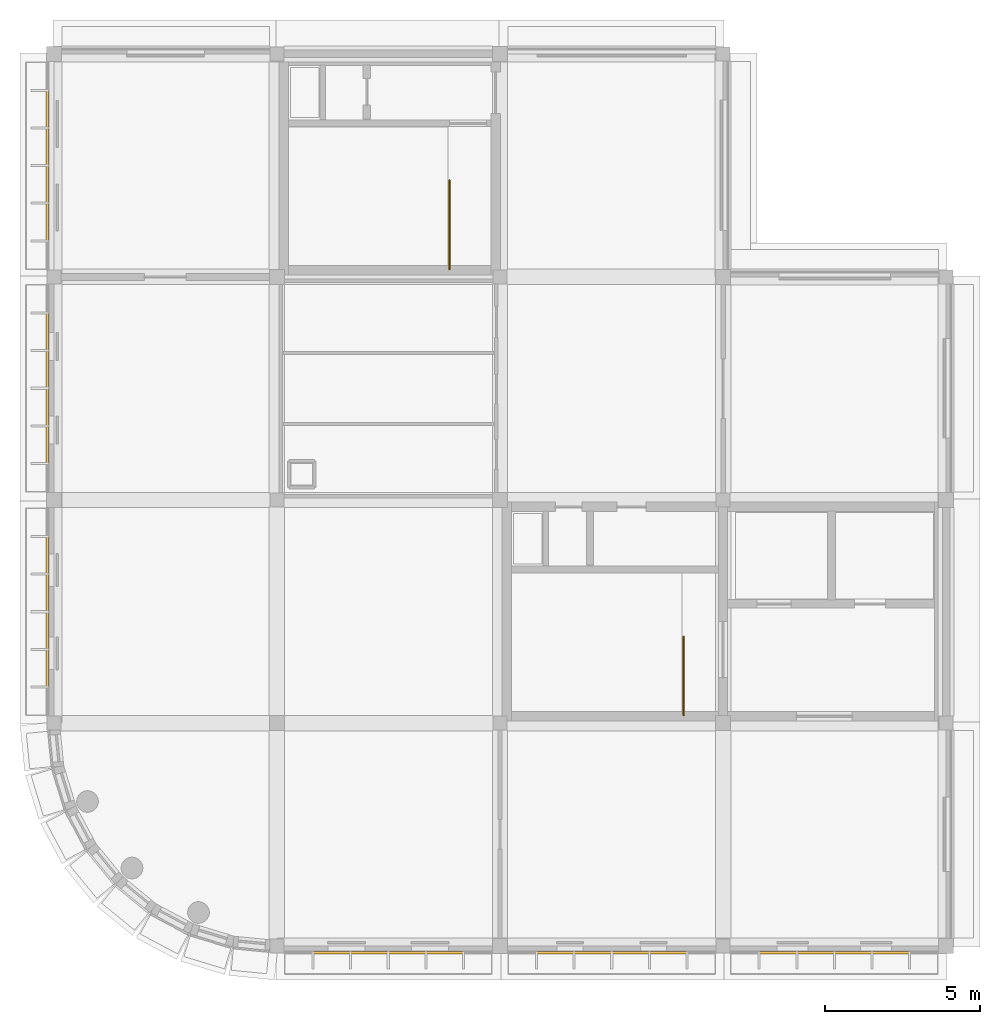
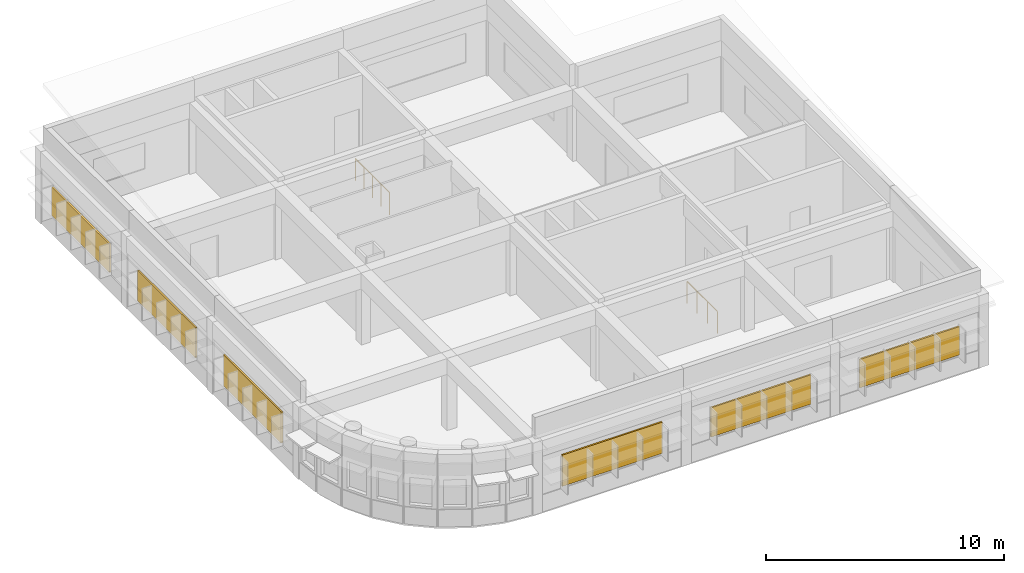
# One storey, part 6 of 6: 6 shading devices, 2 railings.
"""IFC4 building model written with IfcOpenShell, lengths in metres."""

from ifc_helpers import new_model, si_unit, direction, frame, origin, origin_2d, place, context, subcontext, project, spatial, rectangle, circle, extrude, material, layer, layer_set, type_object, element, save


model = new_model("IFC4")

# Units and contexts
model_context = context("Model", 3, precision=1e-05, world=origin(), true_north=direction((0.0, 1.0)))
body_context = subcontext(model_context, "Body", "Model", "MODEL_VIEW")
ifc_project = project(units=[si_unit("LENGTHUNIT", "METRE"), si_unit("AREAUNIT", "SQUARE_METRE"), si_unit("VOLUMEUNIT", "CUBIC_METRE"), si_unit("PLANEANGLEUNIT", "RADIAN"), si_unit("MASSUNIT", "GRAM", prefix="KILO")], contexts=[model_context])

# Site, building, storey
site_placement = place(None, origin())
site = spatial("IfcSite", under=ifc_project, at=site_placement, CompositionType="ELEMENT")
building_placement = place(site_placement, origin())
building = spatial("IfcBuilding", under=site, at=building_placement, Name="Thalmaran Polytechnic", CompositionType="ELEMENT")
storey_placement = place(building_placement, frame((0.0, 0.0, 34.5)))
storey = spatial("IfcBuildingStorey", under=building, at=storey_placement, Name="L08", CompositionType="ELEMENT", Elevation=34.5)

# Railings
ifc_material_1 = material(Name="Stainless steel 316", Category="steel")
railing_type = type_object("IfcRailingType", Name="RL-GR01", PredefinedType="GUARDRAIL", material=ifc_material_1)
railing_1_placement = place(storey_placement, frame((20.330078125, 7.449951171875, 0.0)))
element("IfcRailing", 1, at=railing_1_placement, inside=storey, type_object=railing_type, Name="ST1 L08 Landing Edge Guardrail", PredefinedType="GUARDRAIL", context=body_context, shape_type="SweptSolid", body=[
    extrude(circle(Radius=0.02392578125, at=origin_2d()), frame((0.0, 0.0, 1.1259765625), z_axis=(0.0, 1.0, 0.0), x_axis=(-1.0, 0.0, 0.0)), (0.0, 0.0, 1.0), 2.530029296875),
    extrude(circle(Radius=0.02099609375, at=origin_2d()), origin(), (0.0, 0.0, 1.0), 1.101806640625),
    extrude(circle(Radius=0.02099609375, at=origin_2d()), frame((0.0, 0.84326171875, 0.0)), (0.0, 0.0, 1.0), 1.101806640625),
    extrude(circle(Radius=0.02099609375, at=origin_2d()), frame((0.0, 1.686767578125, 0.0)), (0.0, 0.0, 1.0), 1.101806640625),
    extrude(circle(Radius=0.02099609375, at=origin_2d()), frame((0.0, 2.530029296875, 0.0)), (0.0, 0.0, 1.0), 1.101806640625),
])
railing_2_placement = place(storey_placement, frame((12.77001953125, 21.85009765625, 0.0)))
element("IfcRailing", 2, at=railing_2_placement, inside=storey, type_object=railing_type, Name="ST3 L08 Landing Edge Guardrail", PredefinedType="GUARDRAIL", context=body_context, shape_type="SweptSolid", body=[
    extrude(circle(Radius=0.02392578125, at=origin_2d()), frame((0.0, 0.0, 1.1259765625), z_axis=(0.0, 1.0, 0.0), x_axis=(-1.0, 0.0, 0.0)), (0.0, 0.0, 1.0), 2.869873046875),
    extrude(circle(Radius=0.02099609375, at=origin_2d()), origin(), (0.0, 0.0, 1.0), 1.101806640625),
    extrude(circle(Radius=0.02099609375, at=origin_2d()), frame((0.0, 0.717529296875, 0.0)), (0.0, 0.0, 1.0), 1.101806640625),
    extrude(circle(Radius=0.02099609375, at=origin_2d()), frame((0.0, 1.43505859375, 0.0)), (0.0, 0.0, 1.0), 1.101806640625),
    extrude(circle(Radius=0.02099609375, at=origin_2d()), frame((0.0, 2.15234375, 0.0)), (0.0, 0.0, 1.0), 1.101806640625),
    extrude(circle(Radius=0.02099609375, at=origin_2d()), frame((0.0, 2.869873046875, 0.0)), (0.0, 0.0, 1.0), 1.101806640625),
])

# Shading devices
ifc_material_2 = material(Name="Perforated anodised-bronze aluminium screen", Category="aluminium")
ifc_layer = layer(ifc_material_2, 0.080078125, Name="Perforated anodised-bronze aluminium screen")
ifc_layer_set = layer_set([ifc_layer], Name="Perforated anodised-bronze aluminium screen")
shading_device_type = type_object("IfcShadingDeviceType", Name="SH-JL01", PredefinedType="JALOUSIE", material=ifc_layer_set)
shading_device_1_placement = place(storey_placement, frame((-0.219970703125, 10.800048828125, 1.02490234375), z_axis=(0.0, 0.0, 1.0), x_axis=(0.0, 1.0, 0.0)))
element("IfcShadingDevice", 3, at=shading_device_1_placement, inside=storey, type_object=shading_device_type, Name="Anodised-Bronze Mashrabiya Solar Screen L08-006", PredefinedType="JALOUSIE", context=body_context, shape_type="SweptSolid", body=[
    extrude(rectangle(XDim=4.84912109375, YDim=0.080078125, at=origin_2d()), origin(), (0.0, 0.0, 1.0), 1.60009765625),
])
shading_device_2_placement = place(storey_placement, frame((-0.219970703125, 18.0, 1.02490234375), z_axis=(0.0, 0.0, 1.0), x_axis=(0.0, 1.0, 0.0)))
element("IfcShadingDevice", 4, at=shading_device_2_placement, inside=storey, type_object=shading_device_type, Name="Anodised-Bronze Mashrabiya Solar Screen L08-007", PredefinedType="JALOUSIE", context=body_context, shape_type="SweptSolid", body=[
    extrude(rectangle(XDim=4.84912109375, YDim=0.080078125, at=origin_2d()), origin(), (0.0, 0.0, 1.0), 1.550048828125),
])
for number, where, z_axis, x_axis, name in (
    (5, (-0.219970703125, 25.199951171875, 1.02490234375), (0.0, 0.0, 1.0), (0.0, 1.0, 0.0), "Anodised-Bronze Mashrabiya Solar Screen L08-008"),
    (6, (25.199951171875, -0.219970703125, 1.02490234375), (0.0, 0.0, 1.0), (-1.0, 0.0, 0.0), "Anodised-Bronze Mashrabiya Solar Screen L08-017"),
):
    element("IfcShadingDevice", number, at=place(storey_placement, frame(where, z_axis=z_axis, x_axis=x_axis)), inside=storey, type_object=shading_device_type, Name=name, PredefinedType="JALOUSIE", context=body_context, shape_type="SweptSolid", body=[
        extrude(rectangle(XDim=4.84912109375, YDim=0.080078125, at=origin_2d()), origin(), (0.0, 0.0, 1.0), 1.449951171875),
    ])
shading_device_3_placement = place(storey_placement, frame((18.0, -0.219970703125, 1.02490234375), z_axis=(0.0, 0.0, 1.0), x_axis=(-1.0, 0.0, 0.0)))
element("IfcShadingDevice", 7, at=shading_device_3_placement, inside=storey, type_object=shading_device_type, Name="Anodised-Bronze Mashrabiya Solar Screen L08-018", PredefinedType="JALOUSIE", context=body_context, shape_type="SweptSolid", body=[
    extrude(rectangle(XDim=4.84912109375, YDim=0.080078125, at=origin_2d()), origin(), (0.0, 0.0, 1.0), 1.5),
])
shading_device_4_placement = place(storey_placement, frame((10.800048828125, -0.219970703125, 1.02490234375), z_axis=(0.0, 0.0, 1.0), x_axis=(-1.0, 0.0, 0.0)))
element("IfcShadingDevice", 8, at=shading_device_4_placement, inside=storey, type_object=shading_device_type, Name="Anodised-Bronze Mashrabiya Solar Screen L08-019", PredefinedType="JALOUSIE", context=body_context, shape_type="SweptSolid", body=[
    extrude(rectangle(XDim=4.84912109375, YDim=0.080078125, at=origin_2d()), origin(), (0.0, 0.0, 1.0), 1.60009765625),
])

save(model, "model.ifc")
